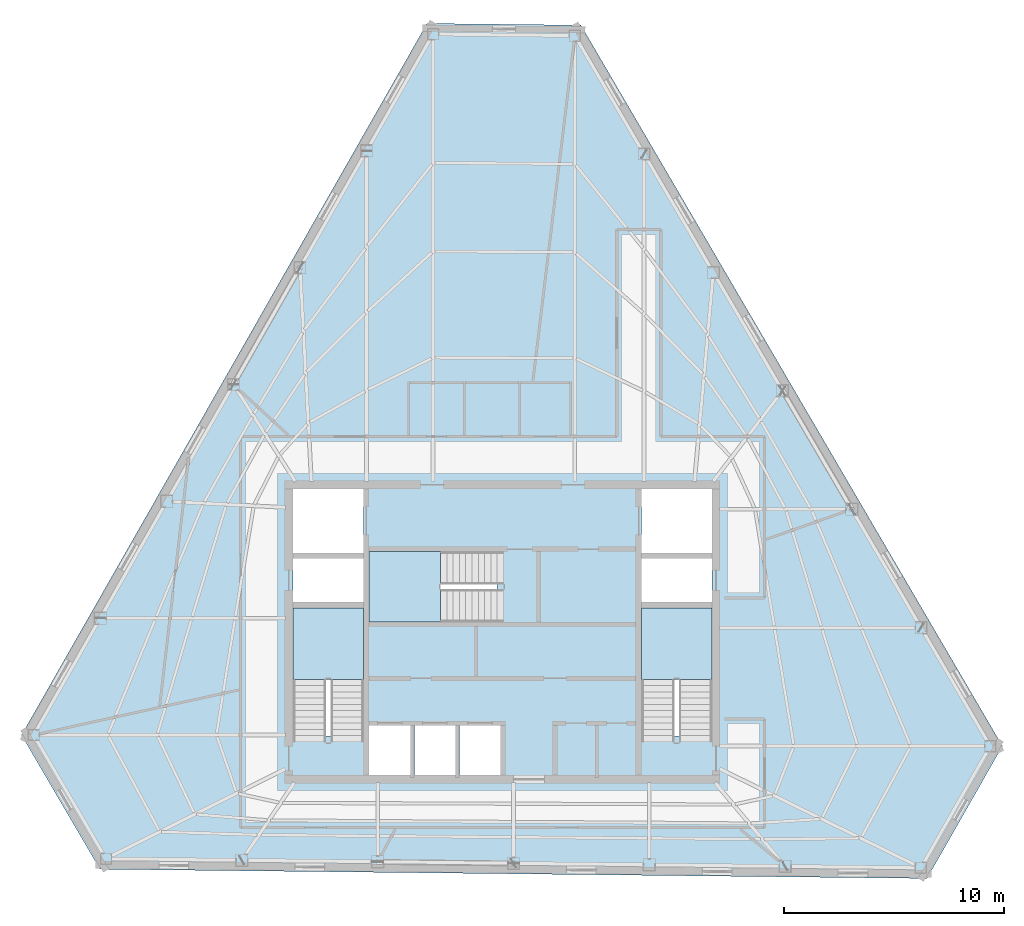
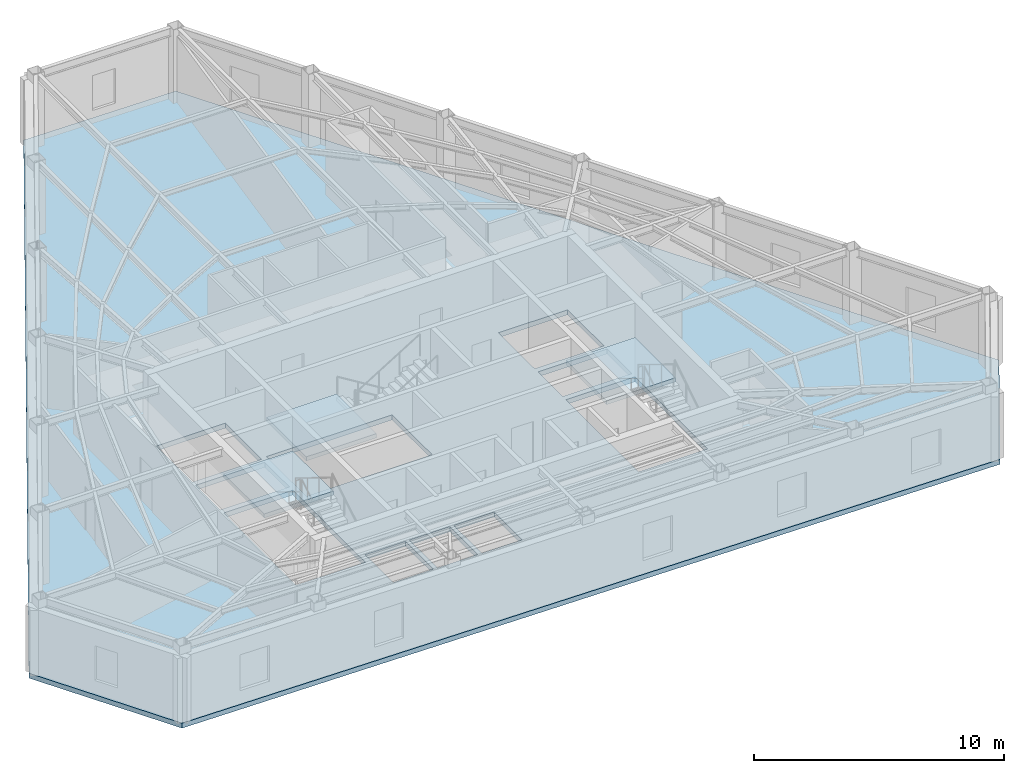
# One storey, part 3 of 10: 4 slabs, 3 elements without a shape of their own.
"""IFC4 building model written with IfcOpenShell, lengths in metres."""

from ifc_helpers import new_model, si_unit, direction, frame, origin, place, context, subcontext, project, spatial, polyline, outline, extrude, material, layer, layer_set, type_object, element, aggregate, save


model = new_model("IFC4")

# Units and contexts
model_context = context("Model", 3, precision=1e-05, world=origin(), true_north=direction((0.0, 1.0)))
body_context = subcontext(model_context, "Body", "Model", "MODEL_VIEW")
ifc_project = project(units=[si_unit("LENGTHUNIT", "METRE"), si_unit("AREAUNIT", "SQUARE_METRE"), si_unit("VOLUMEUNIT", "CUBIC_METRE"), si_unit("PLANEANGLEUNIT", "RADIAN"), si_unit("MASSUNIT", "GRAM", prefix="KILO")], contexts=[model_context])

# Site, building, storey
site_placement = place(None, origin())
site = spatial("IfcSite", under=ifc_project, at=site_placement, CompositionType="ELEMENT")
building_placement = place(site_placement, origin())
building = spatial("IfcBuilding", under=site, at=building_placement, Name="Kavelnor Concourse Tower", CompositionType="ELEMENT")
storey_placement = place(building_placement, frame((0.0, 0.0, 251.050048828125)))
storey = spatial("IfcBuildingStorey", under=building, at=storey_placement, Name="L63", CompositionType="ELEMENT", Elevation=251.050048828125)

# Stair, slab
ifc_material = material(Name="Concrete C40/50", Category="concrete")
stair_type = type_object("IfcStairType", Name="STR-CORE-1500", PredefinedType="HALF_TURN_STAIR", material=ifc_material)
stair_1_placement = place(storey_placement, origin())
stair_1 = element("IfcStair", 1, at=stair_1_placement, inside=storey, type_object=stair_type, Name="L63 ST1", PredefinedType="HALF_TURN_STAIR")
ifc_layer_1 = layer(ifc_material, 0.199951171875, Name="Concrete C40/50")
ifc_layer_set_1 = layer_set([ifc_layer_1], Name="Concrete C40/50")
slab_type_1 = type_object("IfcSlabType", Name="SLB-LANDING-200", PredefinedType="LANDING", material=ifc_layer_set_1)
slab_1_placement = place(storey_placement, frame((0.0, 0.0, 1.724853515625)))
slab_1 = element("IfcSlab", 2, at=slab_1_placement, type_object=slab_type_1, Name="ST1 landing 1", PredefinedType="LANDING", context=body_context, shape_type="SweptSolid", body=[
    extrude(outline(polyline([(31.679931640625, 13.949951171875), (31.679931640625, 17.199951171875), (28.47998046875, 17.199951171875), (28.47998046875, 13.949951171875), (31.679931640625, 13.949951171875)])), origin(), (0.0, 0.0, 1.0), 0.2001953125),
])
aggregate(stair_1, [slab_1])

stair_2_placement = place(storey_placement, origin())
stair_2 = element("IfcStair", 3, at=stair_2_placement, inside=storey, type_object=stair_type, Name="L63 ST2", PredefinedType="HALF_TURN_STAIR")
slab_2_placement = place(storey_placement, frame((0.0, 0.0, 1.724853515625)))
slab_2 = element("IfcSlab", 4, at=slab_2_placement, type_object=slab_type_1, Name="ST2 landing 1", PredefinedType="LANDING", context=body_context, shape_type="SweptSolid", body=[
    extrude(outline(polyline([(47.52001953125, 13.949951171875), (47.52001953125, 17.199951171875), (44.320068359375, 17.199951171875), (44.320068359375, 13.949951171875), (47.52001953125, 13.949951171875)])), origin(), (0.0, 0.0, 1.0), 0.2001953125),
])
aggregate(stair_2, [slab_2])

stair_3_placement = place(storey_placement, origin())
stair_3 = element("IfcStair", 5, at=stair_3_placement, inside=storey, type_object=stair_type, Name="L63 ST3", PredefinedType="HALF_TURN_STAIR")
slab_3_placement = place(storey_placement, frame((0.0, 0.0, 1.724853515625)))
slab_3 = element("IfcSlab", 6, at=slab_3_placement, type_object=slab_type_1, Name="ST3 landing 1", PredefinedType="LANDING", context=body_context, shape_type="SweptSolid", body=[
    extrude(outline(polyline([(35.18994140625, 19.760009765625), (31.93994140625, 19.760009765625), (31.93994140625, 16.56005859375), (35.18994140625, 16.56005859375), (35.18994140625, 19.760009765625)])), origin(), (0.0, 0.0, 1.0), 0.2001953125),
])
aggregate(stair_3, [slab_3])

# Slab
ifc_layer_2 = layer(ifc_material, 0.239990234375, Name="Concrete C40/50")
ifc_layer_set_2 = layer_set([ifc_layer_2], Name="Concrete C40/50")
slab_type_2 = type_object("IfcSlabType", Name="SLB-OFFICE-240", PredefinedType="FLOOR", material=ifc_layer_set_2)
slab_4_placement = place(storey_placement, frame((0.0, 0.0, -0.239990234375)))
element("IfcSlab", 7, at=slab_4_placement, inside=storey, type_object=slab_type_2, Name="L63 Composite Structural Floor Slab", PredefinedType="FLOOR", context=body_context, shape_type="SweptSolid", body=[
    extrude(outline(polyline([(41.56591796875, 43.693115234375), (34.569580078125, 43.771240234375), (16.130615234375, 11.4130859375), (19.69677734375, 5.31494140625), (57.303955078125, 4.893798828125), (60.734130859375, 10.913818359375), (41.56591796875, 43.693115234375)]), holes=[polyline([(28.47998046875, 11.3798828125), (31.679931640625, 11.3798828125), (31.679931640625, 17.199951171875), (28.47998046875, 17.199951171875), (28.47998046875, 11.3798828125)]), polyline([(44.320068359375, 11.3798828125), (47.52001953125, 11.3798828125), (47.52001953125, 17.199951171875), (44.320068359375, 17.199951171875), (44.320068359375, 11.3798828125)]), polyline([(31.93994140625, 16.56005859375), (37.760009765625, 16.56005859375), (37.760009765625, 19.760009765625), (31.93994140625, 19.760009765625), (31.93994140625, 16.56005859375)]), polyline([(28.47998046875, 19.699951171875), (31.679931640625, 19.699951171875), (31.679931640625, 22.60009765625), (28.47998046875, 22.60009765625), (28.47998046875, 19.699951171875)]), polyline([(44.320068359375, 19.699951171875), (47.52001953125, 19.699951171875), (47.52001953125, 22.60009765625), (44.320068359375, 22.60009765625), (44.320068359375, 19.699951171875)]), polyline([(31.93994140625, 9.60009765625), (33.81005859375, 9.60009765625), (33.81005859375, 11.840087890625), (31.93994140625, 11.840087890625), (31.93994140625, 9.60009765625)]), polyline([(33.989990234375, 9.60009765625), (35.860107421875, 9.60009765625), (35.860107421875, 11.840087890625), (33.989990234375, 11.840087890625), (33.989990234375, 9.60009765625)]), polyline([(36.0400390625, 9.60009765625), (37.909912109375, 9.60009765625), (37.909912109375, 11.840087890625), (36.0400390625, 11.840087890625), (36.0400390625, 9.60009765625)]), polyline([(28.47998046875, 17.4599609375), (31.679931640625, 17.4599609375), (31.679931640625, 19.43994140625), (28.47998046875, 19.43994140625), (28.47998046875, 17.4599609375)]), polyline([(44.320068359375, 17.4599609375), (47.52001953125, 17.4599609375), (47.52001953125, 19.43994140625), (44.320068359375, 19.43994140625), (44.320068359375, 17.4599609375)])]), origin(), (0.0, 0.0, 1.0), 0.239990234375),
])

save(model, "model.ifc")
